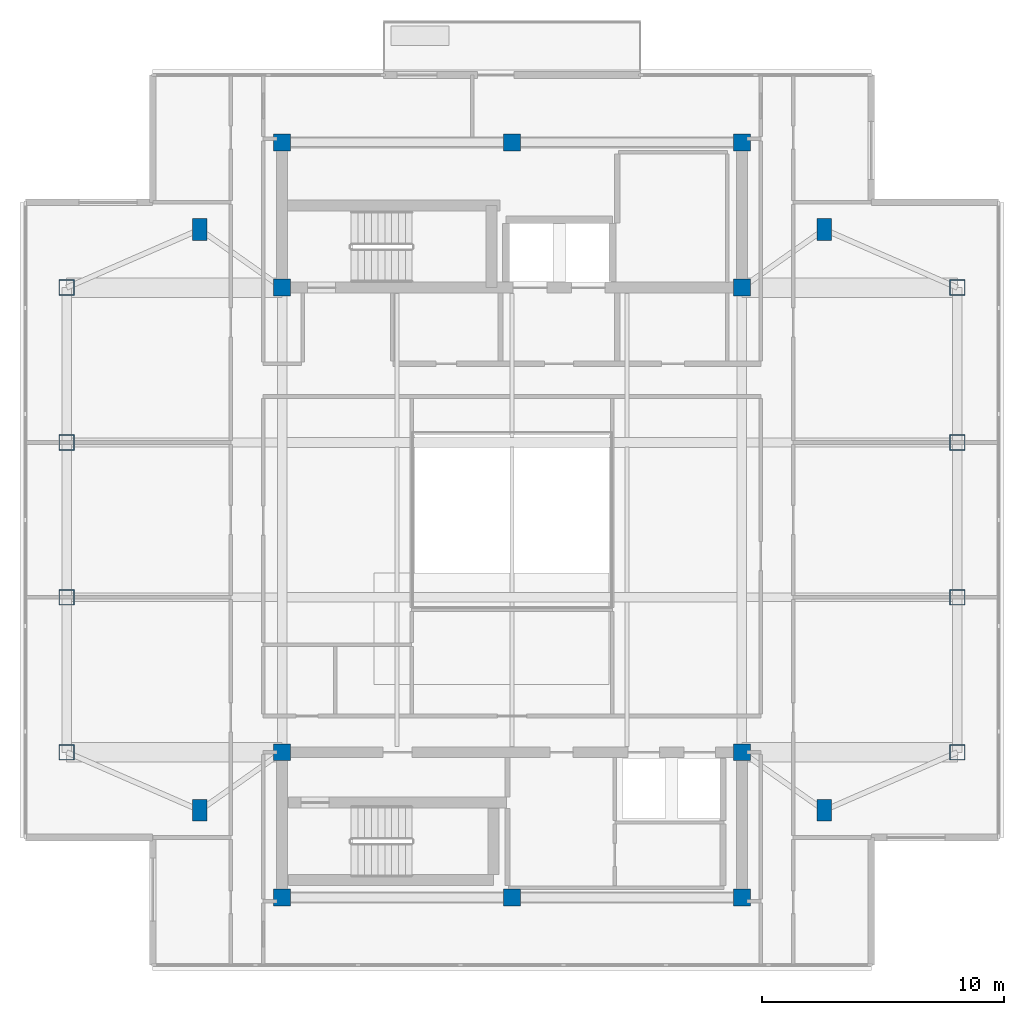
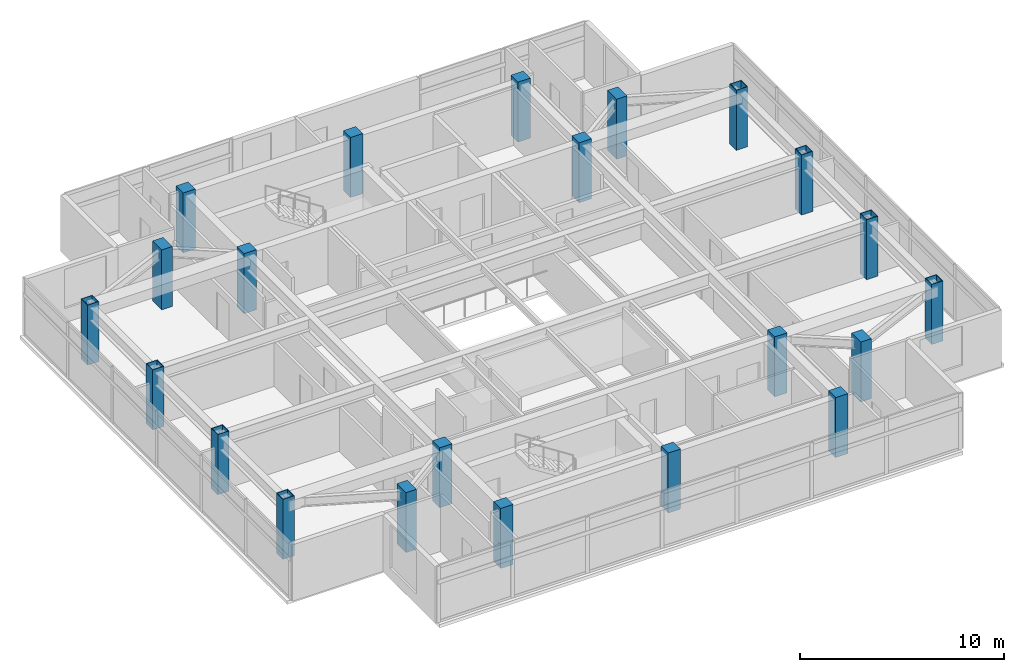
# One storey, part 1 of 12: 22 columns.
"""IFC4 building model written with IfcOpenShell, lengths in metres."""

from ifc_helpers import new_model, si_unit, direction, frame, origin, origin_2d, place, context, subcontext, project, spatial, rectangle, hollow_rectangle, extrude, material, material_profile, profile_set, type_object, element, save


model = new_model("IFC4")

# Units and contexts
model_context = context("Model", 3, precision=1e-05, world=origin(), true_north=direction((0.0, 1.0)))
body_context = subcontext(model_context, "Body", "Model", "MODEL_VIEW")
ifc_project = project(units=[si_unit("LENGTHUNIT", "METRE"), si_unit("AREAUNIT", "SQUARE_METRE"), si_unit("VOLUMEUNIT", "CUBIC_METRE"), si_unit("PLANEANGLEUNIT", "RADIAN"), si_unit("MASSUNIT", "GRAM", prefix="KILO")], contexts=[model_context])

# Site, building, storey
site_placement = place(None, origin())
site = spatial("IfcSite", under=ifc_project, at=site_placement, CompositionType="ELEMENT")
building_placement = place(site_placement, origin())
building = spatial("IfcBuilding", under=site, at=building_placement, Name="Mirazonda Arch Towers", CompositionType="ELEMENT")
storey_placement = place(building_placement, frame((0.0, 0.0, 252.699951171875)))
storey = spatial("IfcBuildingStorey", under=building, at=storey_placement, Name="L72", CompositionType="ELEMENT", Elevation=252.699951171875)

# Columns
ifc_material_1 = material(Name="Concrete C50/60", Category="concrete")
ifc_material_profile_1 = material_profile(ifc_material_1, rectangle(XDim=0.699951171875, YDim=0.699951171875, at=origin_2d()), Name="RC700x700")
ifc_profile_set_1 = profile_set([ifc_material_profile_1], Name="Concrete C50/60")
column_type_1 = type_object("IfcColumnType", Name="COL-INT-RC700x700", PredefinedType="COLUMN", material=ifc_profile_set_1)
for number, where, z_axis, x_axis, name in (
    (1, (11.0, 12.39990234375, 0.0), (0.0, 0.0, 1.0), (1.0, 0.0, 0.0), "L72 T1 Core Column 01"),
    (2, (20.5, 12.39990234375, 0.0), (0.0, 0.0, 1.0), (1.0, 0.0, 0.0), "L72 T1 Core Column 02"),
    (3, (30.0, 12.39990234375, 0.0), (0.0, 0.0, 1.0), (1.0, 0.0, 0.0), "L72 T1 Core Column 03"),
    (4, (11.0, 18.39990234375, 0.0), (0.0, 0.0, 1.0), (1.0, 0.0, 0.0), "L72 T1 Core Column 04"),
    (5, (30.0, 18.39990234375, 0.0), (0.0, 0.0, 1.0), (1.0, 0.0, 0.0), "L72 T1 Core Column 05"),
    (6, (11.0, 37.60009765625, 0.0), (0.0, 0.0, 1.0), (1.0, 0.0, 0.0), "L72 T1 Core Column 06"),
    (7, (30.0, 37.60009765625, 0.0), (0.0, 0.0, 1.0), (1.0, 0.0, 0.0), "L72 T1 Core Column 07"),
    (8, (11.0, 43.60009765625, 0.0), (0.0, 0.0, 1.0), (1.0, 0.0, 0.0), "L72 T1 Core Column 08"),
    (9, (20.5, 43.60009765625, 0.0), (0.0, 0.0, 1.0), (1.0, 0.0, 0.0), "L72 T1 Core Column 09"),
    (10, (30.0, 43.60009765625, 0.0), (0.0, 0.0, 1.0), (1.0, 0.0, 0.0), "L72 T1 Core Column 10"),
):
    element("IfcColumn", number, at=place(storey_placement, frame(where, z_axis=z_axis, x_axis=x_axis)), inside=storey, type_object=column_type_1, Name=name, PredefinedType="COLUMN", context=body_context, shape_type="SweptSolid", body=[
        extrude(rectangle(XDim=0.699951171875, YDim=0.699951171875, at=origin_2d()), origin(), (0.0, 0.0, 1.0), 3.60009765625),
    ])
ifc_material_2 = material(Name="Steel ASTM A572 Grade 50", Category="steel")
ifc_material_profile_2 = material_profile(ifc_material_2, hollow_rectangle(XDim=0.64990234375, YDim=0.64990234375, WallThickness=0.035888671875, at=origin_2d()), Name="BOX650x650x36")
ifc_profile_set_2 = profile_set([ifc_material_profile_2], Name="Steel ASTM A572 Grade 50")
column_type_2 = type_object("IfcColumnType", Name="MCOL-EXT-BOX650x650x36", PredefinedType="COLUMN", material=ifc_profile_set_2)
for number, where, z_axis, x_axis, name in (
    (11, (2.10009765625, 18.39990234375, 0.0), (0.0, 0.0, 1.0), (1.0, 0.0, 0.0), "L72 T1 Composite Mega-Column 01"),
    (12, (2.10009765625, 24.800048828125, 0.0), (0.0, 0.0, 1.0), (1.0, 0.0, 0.0), "L72 T1 Composite Mega-Column 02"),
    (13, (2.10009765625, 31.199951171875, 0.0), (0.0, 0.0, 1.0), (1.0, 0.0, 0.0), "L72 T1 Composite Mega-Column 03"),
    (14, (2.10009765625, 37.60009765625, 0.0), (0.0, 0.0, 1.0), (1.0, 0.0, 0.0), "L72 T1 Composite Mega-Column 04"),
    (15, (38.89990234375, 18.39990234375, 0.0), (0.0, 0.0, 1.0), (1.0, 0.0, 0.0), "L72 T1 Composite Mega-Column 05"),
    (16, (38.89990234375, 24.800048828125, 0.0), (0.0, 0.0, 1.0), (1.0, 0.0, 0.0), "L72 T1 Composite Mega-Column 06"),
    (17, (38.89990234375, 31.199951171875, 0.0), (0.0, 0.0, 1.0), (1.0, 0.0, 0.0), "L72 T1 Composite Mega-Column 07"),
    (18, (38.89990234375, 37.60009765625, 0.0), (0.0, 0.0, 1.0), (1.0, 0.0, 0.0), "L72 T1 Composite Mega-Column 08"),
):
    element("IfcColumn", number, at=place(storey_placement, frame(where, z_axis=z_axis, x_axis=x_axis)), inside=storey, type_object=column_type_2, Name=name, PredefinedType="COLUMN", context=body_context, shape_type="SweptSolid", body=[
        extrude(hollow_rectangle(XDim=0.64990234375, YDim=0.64990234375, WallThickness=0.035888671875, at=origin_2d()), origin(), (0.0, 0.0, 1.0), 3.60009765625),
    ])
ifc_material_profile_3 = material_profile(ifc_material_1, rectangle(XDim=0.60009765625, YDim=0.89990234375, at=origin_2d()), Name="RC900x600")
ifc_profile_set_3 = profile_set([ifc_material_profile_3], Name="Concrete C50/60")
column_type_3 = type_object("IfcColumnType", Name="PIL-EXT-RC900x600", PredefinedType="PILASTER", material=ifc_profile_set_3)
for number, where, z_axis, x_axis, name in (
    (19, (7.60009765625, 16.0, 0.0), (0.0, 0.0, 1.0), (1.0, 0.0, 0.0), "L72 T1 Corner Pilaster 01"),
    (20, (33.39990234375, 16.0, 0.0), (0.0, 0.0, 1.0), (1.0, 0.0, 0.0), "L72 T1 Corner Pilaster 02"),
    (21, (7.60009765625, 40.0, 0.0), (0.0, 0.0, 1.0), (1.0, 0.0, 0.0), "L72 T1 Corner Pilaster 03"),
    (22, (33.39990234375, 40.0, 0.0), (0.0, 0.0, 1.0), (1.0, 0.0, 0.0), "L72 T1 Corner Pilaster 04"),
):
    element("IfcColumn", number, at=place(storey_placement, frame(where, z_axis=z_axis, x_axis=x_axis)), inside=storey, type_object=column_type_3, Name=name, PredefinedType="PILASTER", context=body_context, shape_type="SweptSolid", body=[
        extrude(rectangle(XDim=0.60009765625, YDim=0.89990234375, at=origin_2d()), origin(), (0.0, 0.0, 1.0), 3.60009765625),
    ])

save(model, "model.ifc")
